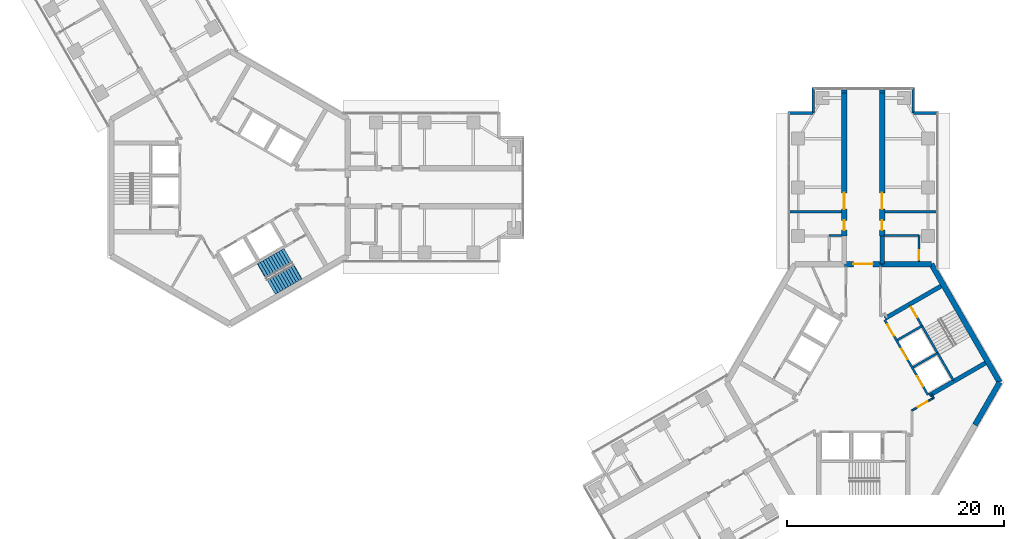
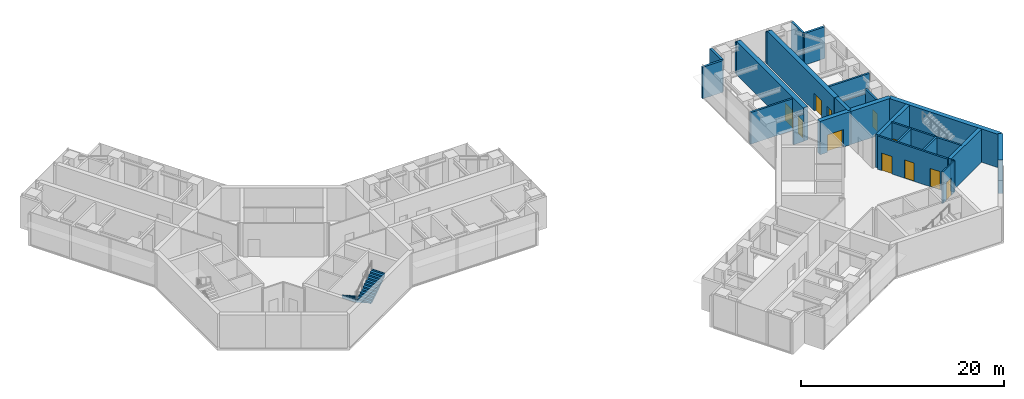
# One storey, part 15 of 17: 26 walls, 11 doors, 2 stair flights, 11 openings, 1 element without a shape of its own.
"""IFC4 building model written with IfcOpenShell, lengths in metres."""

from ifc_helpers import new_model, si_unit, direction, frame, frame_2d, origin, place, context, subcontext, project, spatial, polyline, rectangle, outline, extrude, material, layer, layer_set, type_object, element, fill, aggregate, save


model = new_model("IFC4")

# Units and contexts
model_context = context("Model", 3, precision=1e-05, world=origin(), true_north=direction((0.0, 1.0)))
body_context = subcontext(model_context, "Body", "Model", "MODEL_VIEW")
ifc_project = project(units=[si_unit("LENGTHUNIT", "METRE"), si_unit("AREAUNIT", "SQUARE_METRE"), si_unit("VOLUMEUNIT", "CUBIC_METRE"), si_unit("PLANEANGLEUNIT", "RADIAN"), si_unit("MASSUNIT", "GRAM", prefix="KILO")], contexts=[model_context])

# Site, building, storey
site_placement = place(None, origin())
site = spatial("IfcSite", under=ifc_project, at=site_placement, CompositionType="ELEMENT")
building_placement = place(site_placement, origin())
building = spatial("IfcBuilding", under=site, at=building_placement, Name="Upepo Twin Towers", CompositionType="ELEMENT")
storey_placement = place(building_placement, frame((0.0, 0.0, 178.5)))
storey = spatial("IfcBuildingStorey", under=building, at=storey_placement, Name="L43", CompositionType="ELEMENT", Elevation=178.5)

# Walls
ifc_material_1 = material(Name="Concrete blockwork, plastered both faces", Category="masonry")
ifc_layer_1 = layer(ifc_material_1, 0.215087890625)
ifc_layer_set_1 = layer_set([ifc_layer_1], Name="Blockwork partition 215")
wall_type_1 = type_object("IfcWallType", Name="Blockwork partition 215", PredefinedType="PARTITIONING", material=ifc_layer_set_1)
wall_1_placement = place(storey_placement, frame((56.5, -2.25, 0.0), z_axis=(0.0, 0.0, 1.0), x_axis=(-1.0, 0.0, 0.0)))
element("IfcWall", 1, at=wall_1_placement, inside=storey, type_object=wall_type_1, Name="T2 partition AL at 15.75", PredefinedType="PARTITIONING", context=body_context, shape_type="SweptSolid", body=[
    extrude(rectangle(XDim=4.75, YDim=0.215087890625, at=frame_2d((2.375, 0.0))), origin(), (0.0, 0.0, 1.0), 3.800048828125),
])
wall_2_placement = place(storey_placement, frame((56.550048828125, -4.44189453125, 0.0), z_axis=(0.0, 0.0, 1.0), x_axis=(-1.0, 0.0, 0.0)))
element("IfcWall", 2, at=wall_2_placement, inside=storey, type_object=wall_type_1, Name="T2 WC bay partition AL end at 13.56", PredefinedType="PARTITIONING", context=body_context, shape_type="SweptSolid", body=[
    extrude(rectangle(XDim=1.199951171875, YDim=0.215087890625, at=frame_2d((0.60009765625, 0.0))), origin(), (0.0, 0.0, 1.0), 3.266845703125),
])
wall_3_placement = place(storey_placement, frame((60.5, -2.25, 0.0), z_axis=(0.0, 0.0, 1.0), x_axis=(1.0, 0.0, 0.0)))
element("IfcWall", 3, at=wall_3_placement, inside=storey, type_object=wall_type_1, Name="T2 partition AR at 15.75", PredefinedType="PARTITIONING", context=body_context, shape_type="SweptSolid", body=[
    extrude(rectangle(XDim=4.75, YDim=0.215087890625, at=frame_2d((2.375, 0.0))), origin(), (0.0, 0.0, 1.0), 3.800048828125),
])

# Wall, opening, door
wall_4_placement = place(storey_placement, frame((63.64990234375, -6.842041015625, 0.0), z_axis=(0.0, 0.0, 1.0), x_axis=(0.0, 1.0, 0.0)))
wall_4 = element("IfcWall", 4, at=wall_4_placement, inside=storey, type_object=wall_type_1, Name="T2 WC bay partition AR at 11.16", PredefinedType="PARTITIONING", context=body_context, shape_type="SweptSolid", body=[
    extrude(rectangle(XDim=2.400146484375, YDim=0.215087890625, at=frame_2d((1.2001953125, 0.0))), origin(), (0.0, 0.0, 1.0), 3.800048828125),
])
opening_1_placement = place(wall_4_placement, frame((0.14990234375, 0.0, 0.0)))
opening_1 = element("IfcOpeningElement", 5, at=opening_1_placement, cuts=wall_4, Name="Opening D14", PredefinedType="OPENING", context=body_context, shape_type="SweptSolid", body=[
    extrude(rectangle(XDim=0.89990234375, YDim=2.10009765625, at=frame_2d((0.449951171875, 1.050048828125))), frame((0.0, 0.117431640625, 0.0), z_axis=(0.0, -1.0, 0.0), x_axis=(1.0, 0.0, 0.0)), (0.0, 0.0, 1.0), 0.235107421875),
])
ifc_material_2 = material(Name="Timber doorset", Category="wood")
door_type_1 = type_object("IfcDoorType", Name="Office door 900 FD30", OperationType="SINGLE_SWING_LEFT", PredefinedType="DOOR", material=ifc_material_2)
door_1_placement = place(opening_1_placement, origin())
door_1 = element("IfcDoor", 6, at=door_1_placement, inside=storey, type_object=door_type_1, Name="T2 L43 WC bay inner room door", OperationType="SINGLE_SWING_LEFT", OverallHeight=2.10009765625, OverallWidth=0.89990234375, PredefinedType="DOOR", context=body_context, shape_type="SweptSolid", body=[
    extrude(rectangle(XDim=0.89990234375, YDim=2.10009765625, at=frame_2d((0.449951171875, 1.050048828125))), frame((0.0, 0.02490234375, 0.0), z_axis=(0.0, -1.0, 0.0), x_axis=(1.0, 0.0, 0.0)), (0.0, 0.0, 1.0), 0.050048828125),
])
fill(opening_1, door_1)

# Walls
wall_5_placement = place(storey_placement, frame((60.449951171875, -4.44189453125, 0.0), z_axis=(0.0, 0.0, 1.0), x_axis=(1.0, 0.0, 0.0)))
element("IfcWall", 7, at=wall_5_placement, inside=storey, type_object=wall_type_1, Name="T2 WC bay partition AR end at 13.56", PredefinedType="PARTITIONING", context=body_context, shape_type="SweptSolid", body=[
    extrude(rectangle(XDim=3.199951171875, YDim=0.215087890625, at=frame_2d((1.60009765625, 0.0))), origin(), (0.0, 0.0, 1.0), 3.266845703125),
])
ifc_material_3 = material(Name="Dense concrete blockwork", Category="masonry")
ifc_layer_2 = layer(ifc_material_3, 0.5)
ifc_layer_set_2 = layer_set([ifc_layer_2], Name="Buttress closer 500, blockwork with fire-stopping to the curtain wall")
wall_type_2 = type_object("IfcWallType", Name="Buttress closer 500, blockwork with fire-stopping to the curtain wall", PredefinedType="PARTITIONING", material=ifc_layer_set_2)
for number, where, z_axis, x_axis, name in (
    (8, (56.75, 8.699951171875, 0.0), (0.0, 0.0, 1.0), (0.0, 1.0, 0.0), "T2 L43 wing A buttress closer L"),
    (9, (60.25, 8.699951171875, 0.0), (0.0, 0.0, 1.0), (0.0, 1.0, 0.0), "T2 L43 wing A buttress closer R"),
):
    element("IfcWall", number, at=place(storey_placement, frame(where, z_axis=z_axis, x_axis=x_axis)), inside=storey, type_object=wall_type_2, Name=name, PredefinedType="PARTITIONING", context=body_context, shape_type="SweptSolid", body=[
        extrude(rectangle(XDim=0.28759765625, YDim=0.5, at=frame_2d((0.143798828125, 0.0))), origin(), (0.0, 0.0, 1.0), 3.800048828125),
    ])
ifc_material_4 = material(Name="Concrete C60/75", Category="concrete")
ifc_layer_3 = layer(ifc_material_4, 0.39990234375)
ifc_layer_set_3 = layer_set([ifc_layer_3], Name="Concrete C60/75")
wall_type_3 = type_object("IfcWallType", Name="Buttress wall 400 RC", PredefinedType="SHEAR", material=ifc_layer_set_3)
wall_6_placement = place(storey_placement, frame((60.25, -7.091552734375, 0.0), z_axis=(0.0, 0.0, 1.0), x_axis=(0.0, 1.0, 0.0)))
element("IfcWall", 10, at=wall_6_placement, inside=storey, type_object=wall_type_3, Name="T2 wing A buttress wall R", PredefinedType="SHEAR", context=body_context, shape_type="SweptSolid", body=[
    extrude(rectangle(XDim=2.591552734375, YDim=0.39990234375, at=frame_2d((1.2958984375, 0.0))), origin(), (0.0, 0.0, 1.0), 4.0),
])

# Wall, openings, doors
ifc_material_5 = material(Name="Concrete C60/75", Category="concrete")
ifc_layer_4 = layer(ifc_material_5, 0.5)
ifc_layer_set_4 = layer_set([ifc_layer_4], Name="Concrete C60/75")
wall_type_4 = type_object("IfcWallType", Name="Buttress wall 500 RC", PredefinedType="SHEAR", material=ifc_layer_set_4)
wall_7_placement = place(storey_placement, frame((56.75, -4.5, 0.0), z_axis=(0.0, 0.0, 1.0), x_axis=(0.0, 1.0, 0.0)))
wall_7 = element("IfcWall", 11, at=wall_7_placement, inside=storey, type_object=wall_type_4, Name="T2 wing A buttress wall L part 2", PredefinedType="SHEAR", context=body_context, shape_type="SweptSolid", body=[
    extrude(rectangle(XDim=13.199951171875, YDim=0.5, at=frame_2d((6.60009765625, 0.0))), origin(), (0.0, 0.0, 1.0), 4.0),
])
opening_2_placement = place(wall_7_placement, frame((0.550048828125, 0.0, 0.0)))
opening_2 = element("IfcOpeningElement", 12, at=opening_2_placement, cuts=wall_7, Name="Opening D11", PredefinedType="OPENING", context=body_context, shape_type="SweptSolid", body=[
    extrude(rectangle(XDim=0.89990234375, YDim=2.10009765625, at=frame_2d((0.449951171875, 1.050048828125))), frame((0.0, 0.260009765625, 0.0), z_axis=(0.0, -1.0, 0.0), x_axis=(1.0, 0.0, 0.0)), (0.0, 0.0, 1.0), 0.52001953125),
])
opening_3_placement = place(wall_7_placement, frame((2.5, 0.0, 0.0)))
opening_3 = element("IfcOpeningElement", 13, at=opening_3_placement, cuts=wall_7, Name="Opening D13", PredefinedType="OPENING", context=body_context, shape_type="SweptSolid", body=[
    extrude(rectangle(XDim=1.5, YDim=2.10009765625, at=frame_2d((0.75, 1.050048828125))), frame((0.0, 0.260009765625, 0.0), z_axis=(0.0, -1.0, 0.0), x_axis=(1.0, 0.0, 0.0)), (0.0, 0.0, 1.0), 0.52001953125),
])
ifc_material_6 = material(Name="Timber doorset", Category="wood")
door_type_2 = type_object("IfcDoorType", Name="Double door 1500 FD30", OperationType="DOUBLE_DOOR_SINGLE_SWING", PredefinedType="DOOR", material=ifc_material_6)
door_2_placement = place(opening_3_placement, origin())
door_2 = element("IfcDoor", 14, at=door_2_placement, inside=storey, type_object=door_type_2, Name="T2 L43 lecture room door", OperationType="DOUBLE_DOOR_SINGLE_SWING", OverallHeight=2.10009765625, OverallWidth=1.5, PredefinedType="DOOR", context=body_context, shape_type="SweptSolid", body=[
    extrude(rectangle(XDim=1.5, YDim=2.10009765625, at=frame_2d((0.75, 1.050048828125))), frame((0.0, 0.02490234375, 0.0), z_axis=(0.0, -1.0, 0.0), x_axis=(1.0, 0.0, 0.0)), (0.0, 0.0, 1.0), 0.050048828125),
])
fill(opening_3, door_2)
ifc_material_7 = material(Name="Timber doorset", Category="wood")
door_type_3 = type_object("IfcDoorType", Name="Toilet door 900", OperationType="SINGLE_SWING_LEFT", PredefinedType="DOOR", material=ifc_material_7)
door_3_placement = place(opening_2_placement, origin())
door_3 = element("IfcDoor", 15, at=door_3_placement, inside=storey, type_object=door_type_3, Name="T2 L43 toilets door", OperationType="SINGLE_SWING_LEFT", OverallHeight=2.10009765625, OverallWidth=0.89990234375, PredefinedType="DOOR", context=body_context, shape_type="SweptSolid", body=[
    extrude(rectangle(XDim=0.89990234375, YDim=2.10009765625, at=frame_2d((0.449951171875, 1.050048828125))), frame((0.0, 0.02490234375, 0.0), z_axis=(0.0, -1.0, 0.0), x_axis=(1.0, 0.0, 0.0)), (0.0, 0.0, 1.0), 0.050048828125),
])
fill(opening_2, door_3)

wall_8_placement = place(storey_placement, frame((60.25, -4.5, 0.0), z_axis=(0.0, 0.0, 1.0), x_axis=(0.0, 1.0, 0.0)))
wall_8 = element("IfcWall", 16, at=wall_8_placement, inside=storey, type_object=wall_type_4, Name="T2 wing A buttress wall R part 2", PredefinedType="SHEAR", context=body_context, shape_type="SweptSolid", body=[
    extrude(rectangle(XDim=13.199951171875, YDim=0.5, at=frame_2d((6.60009765625, 0.0))), origin(), (0.0, 0.0, 1.0), 4.0),
])
opening_4_placement = place(wall_8_placement, frame((0.550048828125, 0.0, 0.0)))
opening_4 = element("IfcOpeningElement", 17, at=opening_4_placement, cuts=wall_8, Name="Opening D11", PredefinedType="OPENING", context=body_context, shape_type="SweptSolid", body=[
    extrude(rectangle(XDim=0.89990234375, YDim=2.10009765625, at=frame_2d((0.449951171875, 1.050048828125))), frame((0.0, 0.260009765625, 0.0), z_axis=(0.0, -1.0, 0.0), x_axis=(1.0, 0.0, 0.0)), (0.0, 0.0, 1.0), 0.52001953125),
])
opening_5_placement = place(wall_8_placement, frame((2.5, 0.0, 0.0)))
opening_5 = element("IfcOpeningElement", 18, at=opening_5_placement, cuts=wall_8, Name="Opening D13", PredefinedType="OPENING", context=body_context, shape_type="SweptSolid", body=[
    extrude(rectangle(XDim=1.5, YDim=2.10009765625, at=frame_2d((0.75, 1.050048828125))), frame((0.0, 0.260009765625, 0.0), z_axis=(0.0, -1.0, 0.0), x_axis=(1.0, 0.0, 0.0)), (0.0, 0.0, 1.0), 0.52001953125),
])
door_4_placement = place(opening_5_placement, origin())
door_4 = element("IfcDoor", 19, at=door_4_placement, inside=storey, type_object=door_type_2, Name="T2 L43 lecture room door", OperationType="DOUBLE_DOOR_SINGLE_SWING", OverallHeight=2.10009765625, OverallWidth=1.5, PredefinedType="DOOR", context=body_context, shape_type="SweptSolid", body=[
    extrude(rectangle(XDim=1.5, YDim=2.10009765625, at=frame_2d((0.75, 1.050048828125))), frame((0.0, 0.02490234375, 0.0), z_axis=(0.0, -1.0, 0.0), x_axis=(1.0, 0.0, 0.0)), (0.0, 0.0, 1.0), 0.050048828125),
])
fill(opening_5, door_4)
door_5_placement = place(opening_4_placement, origin())
door_5 = element("IfcDoor", 20, at=door_5_placement, inside=storey, type_object=door_type_3, Name="T2 L43 accessible wc door", OperationType="SINGLE_SWING_LEFT", OverallHeight=2.10009765625, OverallWidth=0.89990234375, PredefinedType="DOOR", context=body_context, shape_type="SweptSolid", body=[
    extrude(rectangle(XDim=0.89990234375, YDim=2.10009765625, at=frame_2d((0.449951171875, 1.050048828125))), frame((0.0, 0.02490234375, 0.0), z_axis=(0.0, -1.0, 0.0), x_axis=(1.0, 0.0, 0.0)), (0.0, 0.0, 1.0), 0.050048828125),
])
fill(opening_4, door_5)

# Wall
ifc_material_8 = material(Name="Concrete C60/75", Category="concrete")
ifc_layer_5 = layer(ifc_material_8, 0.5)
ifc_layer_set_5 = layer_set([ifc_layer_5], Name="Concrete C60/75")
wall_type_5 = type_object("IfcWallType", Name="Core wall 500 RC", PredefinedType="SHEAR", material=ifc_layer_set_5)
wall_9_placement = place(storey_placement, frame((64.7978515625, -7.091552734375, 0.0), z_axis=(0.0, 0.0, 1.0), x_axis=(-1.0, 0.0, 0.0)))
element("IfcWall", 21, at=wall_9_placement, inside=storey, type_object=wall_type_5, Name="T2 core wall 000 R", PredefinedType="SHEAR", context=body_context, shape_type="SweptSolid", body=[
    extrude(rectangle(XDim=4.5478515625, YDim=0.5, at=frame_2d((2.27392578125, 0.0))), origin(), (0.0, 0.0, 1.0), 4.0),
])

# Wall, opening, door
wall_10_placement = place(storey_placement, frame((60.25, -7.091552734375, 0.0), z_axis=(0.0, 0.0, 1.0), x_axis=(-1.0, 0.0, 0.0)))
wall_10 = element("IfcWall", 22, at=wall_10_placement, inside=storey, type_object=wall_type_5, Name="T2 core wall 000", PredefinedType="SHEAR", context=body_context, shape_type="SweptSolid", body=[
    extrude(rectangle(XDim=3.5, YDim=0.5, at=frame_2d((1.75, 0.0))), origin(), (0.0, 0.0, 1.0), 4.0),
])
opening_6_placement = place(wall_10_placement, frame((0.85009765625, 0.0, 0.0)))
opening_6 = element("IfcOpeningElement", 23, at=opening_6_placement, cuts=wall_10, Name="Opening D2", PredefinedType="OPENING", context=body_context, shape_type="SweptSolid", body=[
    extrude(rectangle(XDim=1.800048828125, YDim=2.10009765625, at=frame_2d((0.89990234375, 1.050048828125))), frame((0.0, 0.260009765625, 0.0), z_axis=(0.0, -1.0, 0.0), x_axis=(1.0, 0.0, 0.0)), (0.0, 0.0, 1.0), 0.52001953125),
])
ifc_material_9 = material(Name="Timber doorset", Category="wood")
door_type_4 = type_object("IfcDoorType", Name="Corridor double door 1800 FD60", OperationType="DOUBLE_DOOR_DOUBLE_SWING", PredefinedType="DOOR", material=ifc_material_9)
door_6_placement = place(opening_6_placement, origin())
door_6 = element("IfcDoor", 24, at=door_6_placement, inside=storey, type_object=door_type_4, Name="T2 L43 wing A corridor door", OperationType="DOUBLE_DOOR_DOUBLE_SWING", OverallHeight=2.10009765625, OverallWidth=1.800048828125, PredefinedType="DOOR", context=body_context, shape_type="SweptSolid", body=[
    extrude(rectangle(XDim=1.800048828125, YDim=2.10009765625, at=frame_2d((0.89990234375, 1.050048828125))), frame((0.0, 0.02490234375, 0.0), z_axis=(0.0, -1.0, 0.0), x_axis=(1.0, 0.0, 0.0)), (0.0, 0.0, 1.0), 0.050048828125),
])
fill(opening_6, door_6)

# Walls
wall_11_placement = place(storey_placement, frame((68.82177734375, -21.938720703125, 0.0), z_axis=(0.0, 0.0, 1.0), x_axis=(0.500024481964, 0.866011268655, 0.0)))
element("IfcWall", 25, at=wall_11_placement, inside=storey, type_object=wall_type_5, Name="T2 core wall 240 L", PredefinedType="SHEAR", context=body_context, shape_type="SweptSolid", body=[
    extrude(rectangle(XDim=4.548095703125, YDim=0.5, at=frame_2d((2.27392578125, 0.0))), origin(), (0.0, 0.0, 1.0), 4.0),
])
wall_12_placement = place(storey_placement, frame((71.095947265625, -18.0, 0.0), z_axis=(0.0, 0.0, 1.0), x_axis=(-0.500005998175, 0.866021940709, 0.0)))
element("IfcWall", 26, at=wall_12_placement, inside=storey, type_object=wall_type_5, Name="T2 core wall 300", PredefinedType="SHEAR", context=body_context, shape_type="SweptSolid", body=[
    extrude(rectangle(XDim=12.595947265625, YDim=0.5, at=frame_2d((6.2978515625, 0.0))), origin(), (0.0, 0.0, 1.0), 4.0),
])
ifc_material_10 = material(Name="Blockwork with anodised aluminium cladding", Category="masonry")
ifc_layer_6 = layer(ifc_material_10, 0.25)
ifc_layer_set_6 = layer_set([ifc_layer_6], Name="Notch cladding wall 250, pale metal")
wall_type_6 = type_object("IfcWallType", Name="Notch cladding wall 250, pale metal", PredefinedType="STANDARD", material=ifc_layer_set_6)
for number, where, z_axis, x_axis, name in (
    (27, (51.550048828125, 6.875, 0.0), (0.0, 0.0, 1.0), (1.0, 0.0, 0.0), "T2 L43 wing A notch wall L1"),
    (28, (53.875, 6.875, 0.0), (0.0, 0.0, 1.0), (0.0, 1.0, 0.0), "T2 L43 wing A notch wall L2"),
    (29, (65.449951171875, 6.875, 0.0), (0.0, 0.0, 1.0), (-1.0, 0.0, 0.0), "T2 L43 wing A notch wall R1"),
    (30, (63.125, 6.875, 0.0), (0.0, 0.0, 1.0), (0.0, 1.0, 0.0), "T2 L43 wing A notch wall R2"),
):
    element("IfcWall", number, at=place(storey_placement, frame(where, z_axis=z_axis, x_axis=x_axis)), inside=storey, type_object=wall_type_6, Name=name, PredefinedType="STANDARD", context=body_context, shape_type="SweptSolid", body=[
        extrude(rectangle(XDim=2.324951171875, YDim=0.25, at=frame_2d((1.16259765625, 0.0))), origin(), (0.0, 0.0, 1.0), 3.800048828125),
    ])

# Wall, openings, doors
ifc_material_11 = material(Name="Concrete C40/50", Category="concrete")
ifc_layer_7 = layer(ifc_material_11, 0.199951171875)
ifc_layer_set_7 = layer_set([ifc_layer_7], Name="Concrete C40/50")
wall_type_7 = type_object("IfcWallType", Name="Shaft wall 200 RC", PredefinedType="SHEAR", material=ifc_layer_set_7)
wall_13_placement = place(storey_placement, frame((64.483642578125, -19.1640625, 0.0), z_axis=(0.0, 0.0, 1.0), x_axis=(-0.49999894854, 0.866026010844, 0.0)))
wall_13 = element("IfcWall", 31, at=wall_13_placement, inside=storey, type_object=wall_type_7, Name="T2 core W300 front wall", PredefinedType="SHEAR", context=body_context, shape_type="SweptSolid", body=[
    extrude(rectangle(XDim=8.0, YDim=0.199951171875, at=frame_2d((4.0, 0.0))), origin(), (0.0, 0.0, 1.0), 4.0),
])
opening_7_placement = place(wall_13_placement, frame((6.300048828125, 0.0, 0.0)))
opening_7 = element("IfcOpeningElement", 32, at=opening_7_placement, cuts=wall_13, Name="Opening D4", PredefinedType="OPENING", context=body_context, shape_type="SweptSolid", body=[
    extrude(rectangle(XDim=1.199951171875, YDim=2.10009765625, at=frame_2d((0.60009765625, 1.050048828125))), frame((0.0, 0.10986328125, 0.0), z_axis=(0.0, -1.0, 0.0), x_axis=(1.0, 0.0, 0.0)), (0.0, 0.0, 1.0), 0.219970703125),
])
opening_8_placement = place(wall_13_placement, frame((0.89990234375, 0.0, 0.0)))
opening_8 = element("IfcOpeningElement", 33, at=opening_8_placement, cuts=wall_13, Name="Opening LD1", PredefinedType="OPENING", context=body_context, shape_type="SweptSolid", body=[
    extrude(rectangle(XDim=1.10009765625, YDim=2.199951171875, at=frame_2d((0.550048828125, 1.10009765625))), frame((0.0, 0.10986328125, 0.0), z_axis=(0.0, -1.0, 0.0), x_axis=(1.0, 0.0, 0.0)), (0.0, 0.0, 1.0), 0.219970703125),
])
opening_9_placement = place(wall_13_placement, frame((3.800048828125, 0.0, 0.0)))
opening_9 = element("IfcOpeningElement", 34, at=opening_9_placement, cuts=wall_13, Name="Opening LD1", PredefinedType="OPENING", context=body_context, shape_type="SweptSolid", body=[
    extrude(rectangle(XDim=1.10009765625, YDim=2.199951171875, at=frame_2d((0.550048828125, 1.10009765625))), frame((0.0, 0.10986328125, 0.0), z_axis=(0.0, -1.0, 0.0), x_axis=(1.0, 0.0, 0.0)), (0.0, 0.0, 1.0), 0.219970703125),
])
ifc_material_12 = material(Name="Steel doorset", Category="steel")
door_type_5 = type_object("IfcDoorType", Name="Lift landing door 1100", OperationType="DOUBLE_DOOR_SLIDING", PredefinedType="DOOR", material=ifc_material_12)
door_7_placement = place(opening_8_placement, origin())
door_7 = element("IfcDoor", 35, at=door_7_placement, inside=storey, type_object=door_type_5, Name="T2 L43 lift UL1 landing door", OperationType="DOUBLE_DOOR_SLIDING", OverallHeight=2.199951171875, OverallWidth=1.10009765625, PredefinedType="DOOR", context=body_context, shape_type="SweptSolid", body=[
    extrude(rectangle(XDim=1.10009765625, YDim=2.199951171875, at=frame_2d((0.550048828125, 1.10009765625))), frame((0.0, 0.02490234375, 0.0), z_axis=(0.0, -1.0, 0.0), x_axis=(1.0, 0.0, 0.0)), (0.0, 0.0, 1.0), 0.050048828125),
])
fill(opening_8, door_7)
door_8_placement = place(opening_9_placement, origin())
door_8 = element("IfcDoor", 36, at=door_8_placement, inside=storey, type_object=door_type_5, Name="T2 L43 lift UL2 landing door", OperationType="DOUBLE_DOOR_SLIDING", OverallHeight=2.199951171875, OverallWidth=1.10009765625, PredefinedType="DOOR", context=body_context, shape_type="SweptSolid", body=[
    extrude(rectangle(XDim=1.10009765625, YDim=2.199951171875, at=frame_2d((0.550048828125, 1.10009765625))), frame((0.0, 0.02490234375, 0.0), z_axis=(0.0, -1.0, 0.0), x_axis=(1.0, 0.0, 0.0)), (0.0, 0.0, 1.0), 0.050048828125),
])
fill(opening_9, door_8)
ifc_material_13 = material(Name="Timber doorset", Category="wood")
door_type_6 = type_object("IfcDoorType", Name="Lobby door 1200 FD60", OperationType="SINGLE_SWING_LEFT", PredefinedType="DOOR", material=ifc_material_13)
door_9_placement = place(opening_7_placement, origin())
door_9 = element("IfcDoor", 37, at=door_9_placement, inside=storey, type_object=door_type_6, Name="T2 L43 W300 lobby door", OperationType="SINGLE_SWING_RIGHT", OverallHeight=2.10009765625, OverallWidth=1.199951171875, PredefinedType="DOOR", context=body_context, shape_type="SweptSolid", body=[
    extrude(rectangle(XDim=1.199951171875, YDim=2.10009765625, at=frame_2d((0.60009765625, 1.050048828125))), frame((0.0, 0.02490234375, 0.0), z_axis=(0.0, -1.0, 0.0), x_axis=(1.0, 0.0, 0.0)), (0.0, 0.0, 1.0), 0.050048828125),
])
fill(opening_7, door_9)

# Walls
wall_14_placement = place(storey_placement, frame((63.120361328125, -16.6025390625, 0.0), z_axis=(0.0, 0.0, 1.0), x_axis=(0.866062058628, 0.499936506574, 0.0)))
element("IfcWall", 38, at=wall_14_placement, inside=storey, type_object=wall_type_7, Name="T2 core W300 shaft divider", PredefinedType="SHEAR", context=body_context, shape_type="SweptSolid", body=[
    extrude(rectangle(XDim=2.599853515625, YDim=0.199951171875, at=frame_2d((1.2998046875, 0.0))), origin(), (0.0, 0.0, 1.0), 4.0),
])
wall_15_placement = place(storey_placement, frame((61.67041015625, -14.091064453125, 0.0), z_axis=(0.0, 0.0, 1.0), x_axis=(0.86603858612, 0.49997716683, 0.0)))
element("IfcWall", 39, at=wall_15_placement, inside=storey, type_object=wall_type_7, Name="T2 core W300 lobby wall", PredefinedType="SHEAR", context=body_context, shape_type="SweptSolid", body=[
    extrude(rectangle(XDim=2.599609375, YDim=0.199951171875, at=frame_2d((1.2998046875, 0.0))), origin(), (0.0, 0.0, 1.0), 4.0),
])

# Wall, opening, door
wall_16_placement = place(storey_placement, frame((66.822021484375, -17.814208984375, 0.0), z_axis=(0.0, 0.0, 1.0), x_axis=(-0.49999894854, 0.866026010844, 0.0)))
wall_16 = element("IfcWall", 40, at=wall_16_placement, inside=storey, type_object=wall_type_7, Name="T2 core W300 stair wall", PredefinedType="SHEAR", context=body_context, shape_type="SweptSolid", body=[
    extrude(rectangle(XDim=8.0, YDim=0.199951171875, at=frame_2d((4.0, 0.0))), origin(), (0.0, 0.0, 1.0), 4.0),
])
opening_10_placement = place(wall_16_placement, frame((6.699951171875, 0.0, 0.0)))
opening_10 = element("IfcOpeningElement", 41, at=opening_10_placement, cuts=wall_16, Name="Opening D3", PredefinedType="OPENING", context=body_context, shape_type="SweptSolid", body=[
    extrude(rectangle(XDim=1.10009765625, YDim=2.10009765625, at=frame_2d((0.550048828125, 1.050048828125))), frame((0.0, 0.10986328125, 0.0), z_axis=(0.0, -1.0, 0.0), x_axis=(1.0, 0.0, 0.0)), (0.0, 0.0, 1.0), 0.219970703125),
])
ifc_material_14 = material(Name="Timber doorset", Category="wood")
door_type_7 = type_object("IfcDoorType", Name="Stair door 1100 FD60", OperationType="SINGLE_SWING_LEFT", PredefinedType="DOOR", material=ifc_material_14)
door_10_placement = place(opening_10_placement, origin())
door_10 = element("IfcDoor", 42, at=door_10_placement, inside=storey, type_object=door_type_7, Name="T2 L43 stair door", OperationType="SINGLE_SWING_RIGHT", OverallHeight=2.10009765625, OverallWidth=1.10009765625, PredefinedType="DOOR", context=body_context, shape_type="SweptSolid", body=[
    extrude(rectangle(XDim=1.10009765625, YDim=2.10009765625, at=frame_2d((0.550048828125, 1.050048828125))), frame((0.0, 0.02490234375, 0.0), z_axis=(0.0, -1.0, 0.0), x_axis=(1.0, 0.0, 0.0)), (0.0, 0.0, 1.0), 0.050048828125),
])
fill(opening_10, door_10)

# Walls
ifc_material_15 = material(Name="Concrete C40/50", Category="concrete")
ifc_layer_8 = layer(ifc_material_15, 0.39990234375)
ifc_layer_set_8 = layer_set([ifc_layer_8], Name="Concrete C40/50")
wall_type_8 = type_object("IfcWallType", Name="Shaft wall 400 RC", PredefinedType="SHEAR", material=ifc_layer_set_8)
wall_17_placement = place(storey_placement, frame((60.520263671875, -12.099365234375, 0.0), z_axis=(0.0, 0.0, 1.0), x_axis=(0.86602319114, 0.500003832394, 0.0)))
element("IfcWall", 43, at=wall_17_placement, inside=storey, type_object=wall_type_8, Name="T2 core W300 side wall N", PredefinedType="SHEAR", context=body_context, shape_type="SweptSolid", body=[
    extrude(rectangle(XDim=5.95849609375, YDim=0.39990234375, at=frame_2d((2.979248046875, 0.0))), origin(), (0.0, 0.0, 1.0), 4.0),
])
wall_18_placement = place(storey_placement, frame((64.620361328125, -19.20068359375, 0.0), z_axis=(0.0, 0.0, 1.0), x_axis=(0.866012946976, 0.500021575205, 0.0)))
element("IfcWall", 44, at=wall_18_placement, inside=storey, type_object=wall_type_8, Name="T2 core W300 side wall S", PredefinedType="SHEAR", context=body_context, shape_type="SweptSolid", body=[
    extrude(rectangle(XDim=5.958251953125, YDim=0.39990234375, at=frame_2d((2.97900390625, 0.0))), origin(), (0.0, 0.0, 1.0), 4.0),
])
ifc_material_16 = material(Name="Gypsum board on steel studs", Category="steel")
ifc_layer_9 = layer(ifc_material_16, 0.14990234375)
ifc_layer_set_9 = layer_set([ifc_layer_9], Name="Teaching partition 150 acoustic")
wall_type_9 = type_object("IfcWallType", Name="Teaching partition 150 acoustic", PredefinedType="PARTITIONING", material=ifc_layer_set_9)
wall_19_placement = place(storey_placement, frame((64.78857421875, -19.092041015625, 0.0), z_axis=(0.0, 0.0, 1.0), x_axis=(0.499804398801, -0.866138304741, 0.0)))
element("IfcWall", 45, at=wall_19_placement, inside=storey, type_object=wall_type_9, Name="T2 core room partition 14", PredefinedType="PARTITIONING", context=body_context, shape_type="SweptSolid", body=[
    extrude(rectangle(XDim=0.429931640625, YDim=0.14990234375, at=frame_2d((0.21484375, 0.0))), origin(), (0.0, 0.0, 1.0), 3.800048828125),
])

# Wall, opening, door
wall_20_placement = place(storey_placement, frame((65.0107421875, -19.43701171875, 0.0), z_axis=(0.0, 0.0, 1.0), x_axis=(-0.865982457891, -0.500074377092, 0.0)))
wall_20 = element("IfcWall", 46, at=wall_20_placement, inside=storey, type_object=wall_type_9, Name="T2 core room partition 15", PredefinedType="PARTITIONING", context=body_context, shape_type="SweptSolid", body=[
    extrude(rectangle(XDim=2.342041015625, YDim=0.14990234375, at=frame_2d((1.1708984375, 0.0))), origin(), (0.0, 0.0, 1.0), 3.800048828125),
])
opening_11_placement = place(wall_20_placement, frame((0.6708984375, 0.0, 0.0)))
opening_11 = element("IfcOpeningElement", 47, at=opening_11_placement, cuts=wall_20, Name="Opening D1", PredefinedType="OPENING", context=body_context, shape_type="SweptSolid", body=[
    extrude(rectangle(XDim=1.0, YDim=2.10009765625, at=frame_2d((0.5, 1.050048828125))), frame((0.0, 0.0849609375, 0.0), z_axis=(0.0, -1.0, 0.0), x_axis=(1.0, 0.0, 0.0)), (0.0, 0.0, 1.0), 0.169921875),
])
ifc_material_17 = material(Name="Timber doorset", Category="wood")
door_type_8 = type_object("IfcDoorType", Name="Room door 1000 FD30", OperationType="SINGLE_SWING_LEFT", PredefinedType="DOOR", material=ifc_material_17)
door_11_placement = place(opening_11_placement, origin())
door_11 = element("IfcDoor", 48, at=door_11_placement, inside=storey, type_object=door_type_8, Name="T2 L43 core room door K3", OperationType="SINGLE_SWING_RIGHT", OverallHeight=2.10009765625, OverallWidth=1.0, PredefinedType="DOOR", context=body_context, shape_type="SweptSolid", body=[
    extrude(rectangle(XDim=1.0, YDim=2.10009765625, at=frame_2d((0.5, 1.050048828125))), frame((0.0, 0.02490234375, 0.0), z_axis=(0.0, -1.0, 0.0), x_axis=(1.0, 0.0, 0.0)), (0.0, 0.0, 1.0), 0.050048828125),
])
fill(opening_11, door_11)

# Stair, stair flights
ifc_material_18 = material(Name="Concrete C40/50", Category="concrete")
stair_type = type_object("IfcStairType", Name="Core stair, two flights", PredefinedType="HALF_TURN_STAIR", material=ifc_material_18)
stair_placement = place(storey_placement, origin())
stair = element("IfcStair", 49, at=stair_placement, inside=storey, type_object=stair_type, Name="T1 stair S2 L43", PredefinedType="HALF_TURN_STAIR")
ifc_material_19 = material(Name="Concrete C40/50", Category="concrete")
stair_flight_type = type_object("IfcStairFlightType", Name="Stair flight 1550 RC", PredefinedType="STRAIGHT", material=ifc_material_19)
stair_flight_1_placement = place(storey_placement, frame((5.40380859375, -6.31982421875, 0.0), z_axis=(0.0, 0.0, 1.0), x_axis=(-0.866025403784, -0.5, 0.0)))
stair_flight_1 = element("IfcStairFlight", 50, at=stair_flight_1_placement, type_object=stair_flight_type, Name="Stair S2 flight 1", NumberOfRisers=11, NumberOfTreads=10, PredefinedType="STRAIGHT", RiserHeight=0.181818182, TreadLength=0.28, context=body_context, shape_type="SweptSolid", body=[
    extrude(outline(polyline([(0.0, 0.0), (0.0, 0.181884765625), (0.280029296875, 0.181884765625), (0.280029296875, 0.363525390625), (0.56005859375, 0.363525390625), (0.56005859375, 0.54541015625), (0.840087890625, 0.54541015625), (0.840087890625, 0.727294921875), (1.1201171875, 0.727294921875), (1.1201171875, 0.9091796875), (1.39990234375, 0.9091796875), (1.39990234375, 1.0908203125), (1.679931640625, 1.0908203125), (1.679931640625, 1.272705078125), (1.9599609375, 1.272705078125), (1.9599609375, 1.45458984375), (2.239990234375, 1.45458984375), (2.239990234375, 1.636474609375), (2.52001953125, 1.636474609375), (2.52001953125, 1.818115234375), (2.800048828125, 1.818115234375), (2.800048828125, 2.0), (2.85009765625, 2.0), (2.85009765625, 1.639404296875), (0.3251953125, 0.0), (0.0, 0.0)])), frame((0.0, 0.77490234375, 0.0), z_axis=(0.0, -1.0, 0.0), x_axis=(1.0, 0.0, 0.0)), (0.0, 0.0, 1.0), 1.550048828125),
])
stair_flight_2_placement = place(storey_placement, frame((3.833251953125, -9.19921875, 2.0), z_axis=(0.0, 0.0, 1.0), x_axis=(0.866025403784, 0.5, 0.0)))
stair_flight_2 = element("IfcStairFlight", 51, at=stair_flight_2_placement, type_object=stair_flight_type, Name="Stair S2 flight 2", NumberOfRisers=11, NumberOfTreads=10, PredefinedType="STRAIGHT", RiserHeight=0.181818182, TreadLength=0.28, context=body_context, shape_type="SweptSolid", body=[
    extrude(outline(polyline([(0.0, 0.0), (0.0, 0.181884765625), (0.280029296875, 0.181884765625), (0.280029296875, 0.363525390625), (0.56005859375, 0.363525390625), (0.56005859375, 0.54541015625), (0.840087890625, 0.54541015625), (0.840087890625, 0.727294921875), (1.1201171875, 0.727294921875), (1.1201171875, 0.9091796875), (1.39990234375, 0.9091796875), (1.39990234375, 1.0908203125), (1.679931640625, 1.0908203125), (1.679931640625, 1.272705078125), (1.9599609375, 1.272705078125), (1.9599609375, 1.45458984375), (2.239990234375, 1.45458984375), (2.239990234375, 1.636474609375), (2.52001953125, 1.636474609375), (2.52001953125, 1.818115234375), (2.800048828125, 1.818115234375), (2.800048828125, 2.0), (2.85009765625, 2.0), (2.85009765625, 1.639404296875), (0.3251953125, 0.0), (0.0, 0.0)])), frame((0.0, 0.77490234375, 0.0), z_axis=(0.0, -1.0, 0.0), x_axis=(1.0, 0.0, 0.0)), (0.0, 0.0, 1.0), 1.550048828125),
])
aggregate(stair, [stair_flight_1, stair_flight_2])

save(model, "model.ifc")
